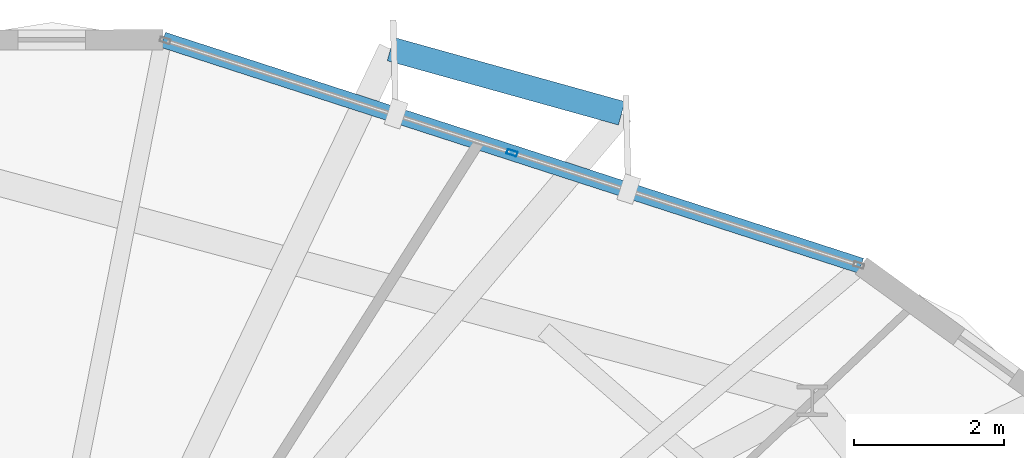
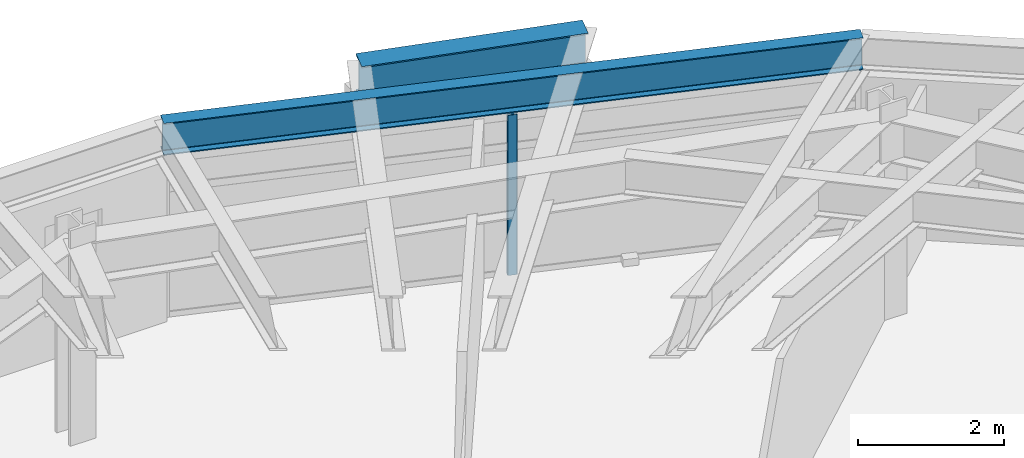
# One storey, part 22 of 31: 2 beams, 1 member, 1 element without a shape of its own.
"""IFC4 building model written with IfcOpenShell, lengths in metres."""

from ifc_helpers import new_model, si_unit, direction, frame, origin, origin_2d, place, context, subcontext, project, spatial, hollow_rectangle, i_section, extrude, material, layer, layer_set, material_profile, profile_set, type_object, element, aggregate, save


model = new_model("IFC4")

# Units and contexts
model_context = context("Model", 3, precision=1e-05, world=origin(), true_north=direction((0.0, 1.0)))
body_context = subcontext(model_context, "Body", "Model", "MODEL_VIEW")
ifc_project = project(units=[si_unit("LENGTHUNIT", "METRE"), si_unit("AREAUNIT", "SQUARE_METRE"), si_unit("VOLUMEUNIT", "CUBIC_METRE"), si_unit("PLANEANGLEUNIT", "RADIAN"), si_unit("MASSUNIT", "GRAM", prefix="KILO")], contexts=[model_context])

# Site, building, storey
site_placement = place(None, origin())
site = spatial("IfcSite", under=ifc_project, at=site_placement, CompositionType="ELEMENT")
building_placement = place(site_placement, origin())
building = spatial("IfcBuilding", under=site, at=building_placement, Name="Soratama Intermodal Tower", CompositionType="ELEMENT")
storey_placement = place(building_placement, frame((0.0, 0.0, 230.199951171875)))
storey = spatial("IfcBuildingStorey", under=building, at=storey_placement, Name="L58", CompositionType="ELEMENT", Elevation=230.199951171875)

# Beams
ifc_material_1 = material(Name="Structural steel ASTM A992 Grade 50", Category="steel")
ifc_material_profile_1 = material_profile(ifc_material_1, i_section(OverallWidth=0.324951171875, OverallDepth=0.615966796875, WebThickness=0.013916015625, FlangeThickness=0.021484375, FilletRadius=0.013916015625, at=origin_2d()), Name="W24X117")
ifc_profile_set_1 = profile_set([ifc_material_profile_1], Name="Structural steel ASTM A992 Grade 50")
beam_type_1 = type_object("IfcBeamType", Name="BM-CANT-W24X117", PredefinedType="BEAM", material=ifc_profile_set_1)
beam_1_placement = place(storey_placement, frame((52.5869140625, 44.43798828125, 2.991943359375), z_axis=(-0.963482966956, 0.267769625584, 0.0), x_axis=(-0.267769625584, -0.963482966956, 0.0)))
element("IfcBeam", 1, at=beam_1_placement, inside=storey, type_object=beam_type_1, Name="BM-L58-CBHDR-2", PredefinedType="BEAM", context=body_context, shape_type="SweptSolid", body=[
    extrude(i_section(OverallWidth=0.324951171875, OverallDepth=0.615966796875, WebThickness=0.013916015625, FlangeThickness=0.021484375, FilletRadius=0.013916015625, at=origin_2d()), origin(), (0.0, 0.0, 1.0), 3.203857421875),
])
ifc_material_2 = material(Name="Structural steel ASTM A992 Grade 50", Category="steel")
ifc_material_profile_2 = material_profile(ifc_material_2, i_section(OverallWidth=0.2099609375, OverallDepth=0.537109375, WebThickness=0.010986328125, FlangeThickness=0.017333984375, FilletRadius=0.012939453125, at=origin_2d()), Name="W21X68")
ifc_profile_set_2 = profile_set([ifc_material_profile_2], Name="Structural steel ASTM A992 Grade 50")
beam_type_2 = type_object("IfcBeamType", Name="BM-SPN-W21X68", PredefinedType="SPANDREL", material=ifc_profile_set_2)
beam_2_placement = place(storey_placement, frame((55.782958984375, 42.402099609375, 3.031494140625), z_axis=(-0.951379028798, 0.308022634825, 0.0), x_axis=(-0.308022634825, -0.951379028798, 0.0)))
element("IfcBeam", 2, at=beam_2_placement, inside=storey, type_object=beam_type_2, Name="BS-L58-F01", PredefinedType="SPANDREL", context=body_context, shape_type="SweptSolid", body=[
    extrude(i_section(OverallWidth=0.2099609375, OverallDepth=0.537109375, WebThickness=0.010986328125, FlangeThickness=0.017333984375, FilletRadius=0.012939453125, at=origin_2d()), origin(), (0.0, 0.0, 1.0), 9.79736328125),
])

# Curtain wall, member
ifc_material_3 = material(Name="Double-glazed aluminium curtain wall", Category="aluminium")
ifc_layer = layer(ifc_material_3, 0.159912109375)
ifc_layer_set = layer_set([ifc_layer], Name="Double-glazed aluminium curtain wall")
curtain_wall_type = type_object("IfcCurtainWallType", Name="CW-SYS-5", PredefinedType="NOTDEFINED", material=ifc_layer_set)
curtain_wall_placement = place(storey_placement, origin())
curtain_wall = element("IfcCurtainWall", 3, at=curtain_wall_placement, inside=storey, type_object=curtain_wall_type, Name="L58 Faceted Curtain Wall F01", PredefinedType="NOTDEFINED")
ifc_material_4 = material(Name="Anodised aluminium AA 6063-T6", Category="aluminium")
ifc_material_profile_3 = material_profile(ifc_material_4, hollow_rectangle(XDim=0.06494140625, YDim=0.139892578125, WallThickness=0.0048828125, InnerFilletRadius=0.0048828125, OuterFilletRadius=0.010009765625, at=origin_2d()), Name="CWM140X65X5")
ifc_profile_set_3 = profile_set([ifc_material_profile_3], Name="Anodised aluminium AA 6063-T6")
member_type = type_object("IfcMemberType", Name="MT-CWM-5", PredefinedType="MULLION", material=ifc_profile_set_3)
member_placement = place(storey_placement, frame((51.12255859375, 43.91064453125, 0.0), z_axis=(0.0, 0.0, 1.0), x_axis=(-0.308022186692, -0.951379173887, 0.0)))
member = element("IfcMember", 4, at=member_placement, type_object=member_type, Name="CW-5 mullion 2", PredefinedType="MULLION", context=body_context, shape_type="SweptSolid", body=[
    extrude(hollow_rectangle(XDim=0.06494140625, YDim=0.139892578125, WallThickness=0.0048828125, InnerFilletRadius=0.0048828125, OuterFilletRadius=0.010009765625, at=origin_2d()), origin(), (0.0, 0.0, 1.0), 2.678955078125),
])
aggregate(curtain_wall, [member])

save(model, "model.ifc")
